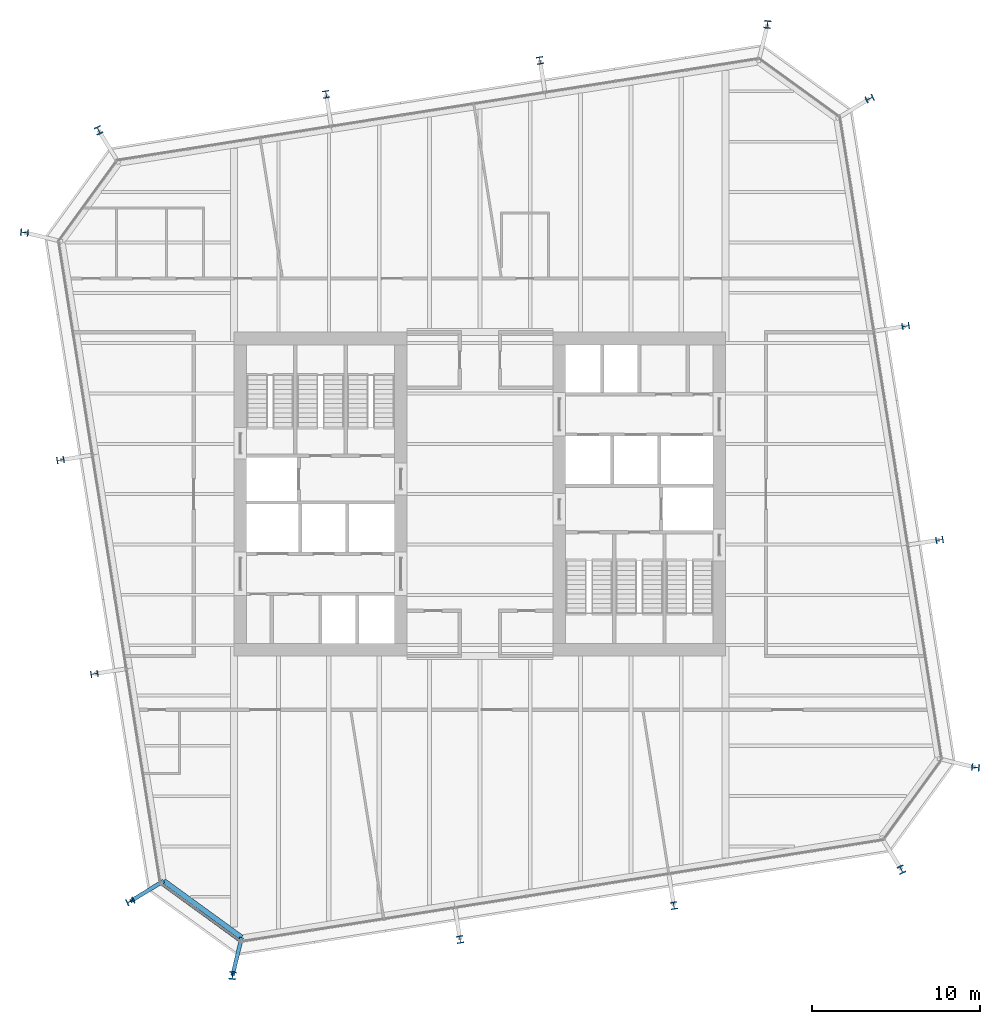
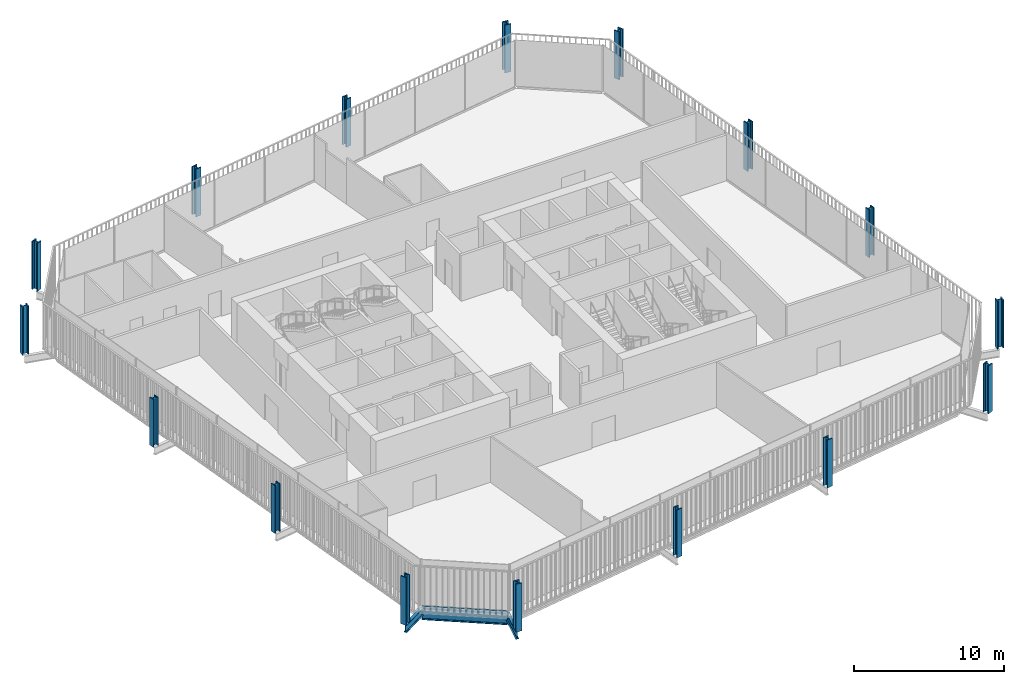
# One storey, part 1 of 21: 16 columns, 3 beams, 1 member, 1 element without a shape of its own.
"""IFC4 building model written with IfcOpenShell, lengths in metres."""

from ifc_helpers import new_model, si_unit, direction, frame, origin, origin_2d, place, context, subcontext, project, spatial, rectangle, i_section, extrude, material, layer, layer_set, material_profile, profile_set, type_object, element, aggregate, save


model = new_model("IFC4")

# Units and contexts
model_context = context("Model", 3, precision=1e-05, world=origin(), true_north=direction((0.0, 1.0)))
body_context = subcontext(model_context, "Body", "Model", "MODEL_VIEW")
ifc_project = project(units=[si_unit("LENGTHUNIT", "METRE"), si_unit("AREAUNIT", "SQUARE_METRE"), si_unit("VOLUMEUNIT", "CUBIC_METRE"), si_unit("PLANEANGLEUNIT", "RADIAN"), si_unit("MASSUNIT", "GRAM", prefix="KILO")], contexts=[model_context])

# Site, building, storey
site_placement = place(None, origin())
site = spatial("IfcSite", under=ifc_project, at=site_placement, CompositionType="ELEMENT")
building_placement = place(site_placement, origin())
building = spatial("IfcBuilding", under=site, at=building_placement, Name="Millrace Tower", CompositionType="ELEMENT")
storey_placement = place(building_placement, frame((0.0, 0.0, 133.39990234375)))
storey = spatial("IfcBuildingStorey", under=building, at=storey_placement, Name="L29", CompositionType="ELEMENT", Elevation=133.39990234375)

# Columns
ifc_material_1 = material(Name="Steel ASTM A913 Grade 65", Category="steel")
ifc_material_profile_1 = material_profile(ifc_material_1, i_section(OverallWidth=0.419189453125, OverallDepth=0.45458984375, WebThickness=0.042236328125, FlangeThickness=0.067626953125, FilletRadius=0.01513671875, at=origin_2d()))
ifc_profile_set_1 = profile_set([ifc_material_profile_1], Name="Steel ASTM A913 Grade 65")
column_type_1 = type_object("IfcColumnType", Name="Exoskeleton column W14x370", PredefinedType="COLUMN", material=ifc_profile_set_1)
for number, where, z_axis, x_axis, name in (
    (1, (-1.181396484375, -26.545166015625, 0.0), (0.0, 0.0, 1.0), (0.987688339156, 0.156434474125, 0.0), "COL-C-L29-X03"),
    (2, (11.5595703125, -24.527099609375, 0.0), (0.0, 0.0, 1.0), (0.987688338239, 0.156434479917, 0.0), "COL-C-L29-X04"),
    (3, (27.39501953125, -2.7314453125, 0.0), (0.0, 0.0, 1.0), (-0.156434474125, 0.987688339156, 0.0), "COL-C-L29-X07"),
    (4, (25.376953125, 10.009765625, 0.0), (0.0, 0.0, 1.0), (-0.156434479917, 0.987688338239, 0.0), "COL-C-L29-X08"),
    (5, (3.58154296875, 25.844970703125, 0.0), (0.0, 0.0, 1.0), (-0.987688339156, -0.156434474125, 0.0), "COL-C-L29-X11"),
    (6, (-9.15966796875, 23.8271484375, 0.0), (0.0, 0.0, 1.0), (-0.987688338239, -0.156434479917, 0.0), "COL-C-L29-X12"),
    (7, (-24.9951171875, 2.031494140625, 0.0), (0.0, 0.0, 1.0), (0.156434474125, -0.987688339156, 0.0), "COL-C-L29-X15"),
    (8, (-22.97705078125, -10.709716796875, 0.0), (0.0, 0.0, 1.0), (0.156434479917, -0.987688338239, 0.0), "COL-C-L29-X16"),
):
    element("IfcColumn", number, at=place(storey_placement, frame(where, z_axis=z_axis, x_axis=x_axis)), inside=storey, type_object=column_type_1, Name=name, PredefinedType="COLUMN", context=body_context, shape_type="SweptSolid", body=[
        extrude(i_section(OverallWidth=0.419189453125, OverallDepth=0.45458984375, WebThickness=0.042236328125, FlangeThickness=0.067626953125, FilletRadius=0.01513671875, at=origin_2d()), origin(), (0.0, 0.0, 1.0), 3.900146484375),
    ])
ifc_material_2 = material(Name="Steel ASTM A913 Grade 65", Category="steel")
ifc_material_profile_2 = material_profile(ifc_material_2, i_section(OverallWidth=0.4267578125, OverallDepth=0.482666015625, WebThickness=0.05126953125, FlangeThickness=0.08154296875, FilletRadius=0.01513671875, at=origin_2d()))
ifc_profile_set_2 = profile_set([ifc_material_profile_2], Name="Steel ASTM A913 Grade 65")
column_type_2 = type_object("IfcColumnType", Name="Exoskeleton column W14x455", PredefinedType="COLUMN", material=ifc_profile_set_2)
for number, where, z_axis, x_axis, name in (
    (9, (-20.829345703125, -24.26904296875, 0.0), (0.0, 0.0, 1.0), (0.416401106568, -0.909181015227, 0.0), "COL-C-L29-X01"),
    (10, (-14.740966796875, -28.692626953125, 0.0), (0.0, 0.0, 1.0), (0.993357548409, -0.115068592665, 0.0), "COL-C-L29-X02"),
    (11, (25.119140625, -22.37939453125, 0.0), (0.0, 0.0, 1.0), (0.909181015227, 0.416401106568, 0.0), "COL-C-L29-X05"),
    (12, (29.542724609375, -16.291015625, 0.0), (0.0, 0.0, 1.0), (0.115068592665, 0.993357548409, 0.0), "COL-C-L29-X06"),
    (13, (23.2294921875, 23.569091796875, 0.0), (0.0, 0.0, 1.0), (-0.416401106568, 0.909181015227, 0.0), "COL-C-L29-X09"),
    (14, (17.140869140625, 27.99267578125, 0.0), (0.0, 0.0, 1.0), (-0.993357548409, 0.115068592665, 0.0), "COL-C-L29-X10"),
    (15, (-22.718994140625, 21.679443359375, 0.0), (0.0, 0.0, 1.0), (-0.909181015227, -0.416401106568, 0.0), "COL-C-L29-X13"),
    (16, (-27.142578125, 15.5908203125, 0.0), (0.0, 0.0, 1.0), (-0.115068592665, -0.993357548409, 0.0), "COL-C-L29-X14"),
):
    element("IfcColumn", number, at=place(storey_placement, frame(where, z_axis=z_axis, x_axis=x_axis)), inside=storey, type_object=column_type_2, Name=name, PredefinedType="COLUMN", context=body_context, shape_type="SweptSolid", body=[
        extrude(i_section(OverallWidth=0.4267578125, OverallDepth=0.482666015625, WebThickness=0.05126953125, FlangeThickness=0.08154296875, FilletRadius=0.01513671875, at=origin_2d()), origin(), (0.0, 0.0, 1.0), 3.900146484375),
    ])

# Curtain wall, member
ifc_material_3 = material(Name="Aluminium and glass", Category="aluminium")
ifc_layer = layer(ifc_material_3, 0.14990234375)
ifc_layer_set = layer_set([ifc_layer], Name="Aluminium and glass")
curtain_wall_type = type_object("IfcCurtainWallType", Name="CW-1 office vision curtain wall", PredefinedType="NOTDEFINED", material=ifc_layer_set)
curtain_wall_placement = place(storey_placement, origin())
curtain_wall = element("IfcCurtainWall", 17, at=curtain_wall_placement, inside=storey, type_object=curtain_wall_type, Name="Curtain wall C-F01 L29", PredefinedType="NOTDEFINED")
ifc_material_4 = material(Name="Aluminium", Category="aluminium")
ifc_material_profile_3 = material_profile(ifc_material_4, rectangle(XDim=0.14990234375, YDim=0.139892578125, at=origin_2d()))
ifc_profile_set_3 = profile_set([ifc_material_profile_3], Name="Aluminium")
member_type = type_object("IfcMemberType", Name="CW-1 office vision curtain wall transom", PredefinedType="USERDEFINED", material=ifc_profile_set_3)
member_placement = place(storey_placement, frame((-18.94677734375, -23.25732421875, 0.070068359375), z_axis=(0.808998591139, -0.587810581339, 0.0), x_axis=(0.587810581339, 0.808998591139, 0.0)))
member = element("IfcMember", 18, at=member_placement, type_object=member_type, Name="CW1 transom C-F01.1", ObjectType="TRANSOM", PredefinedType="USERDEFINED", context=body_context, shape_type="SweptSolid", body=[
    extrude(rectangle(XDim=0.14990234375, YDim=0.139892578125, at=origin_2d()), origin(), (0.0, 0.0, 1.0), 5.6689453125),
])
aggregate(curtain_wall, [member])

# Beams
ifc_material_5 = material(Name="Steel ASTM A992 Grade 50", Category="steel")
ifc_material_profile_4 = material_profile(ifc_material_5, i_section(OverallWidth=0.23046875, OverallDepth=0.6171875, WebThickness=0.01318359375, FlangeThickness=0.022216796875, FilletRadius=0.012939453125, at=origin_2d()))
ifc_profile_set_4 = profile_set([ifc_material_profile_4], Name="Steel ASTM A992 Grade 50")
beam_type_1 = type_object("IfcBeamType", Name="Link beam W24x94", PredefinedType="BEAM", material=ifc_profile_set_4)
for number, where, z_axis, x_axis, name in (
    (19, (-18.841796875, -23.051025390625, -0.468505859375), (-0.852631355792, -0.522512938711, 0.0), (0.522512938711, -0.852631355792, 0.0), "LNK-C-L29-S1-01"),
    (20, (-14.19677734375, -26.426025390625, -0.468505859375), (-0.233456138164, -0.972367333652, 0.0), (0.972367333652, -0.233456138164, 0.0), "LNK-C-L29-S1-16"),
):
    element("IfcBeam", number, at=place(storey_placement, frame(where, z_axis=z_axis, x_axis=x_axis)), inside=storey, type_object=beam_type_1, Name=name, PredefinedType="BEAM", context=body_context, shape_type="SweptSolid", body=[
        extrude(i_section(OverallWidth=0.23046875, OverallDepth=0.6171875, WebThickness=0.01318359375, FlangeThickness=0.022216796875, FilletRadius=0.012939453125, at=origin_2d()), origin(), (0.0, 0.0, 1.0), 2.3310546875),
    ])
ifc_material_6 = material(Name="Steel ASTM A992 Grade 50", Category="steel")
ifc_material_profile_5 = material_profile(ifc_material_6, i_section(OverallWidth=0.307373046875, OverallDepth=0.927001953125, WebThickness=0.01953125, FlangeThickness=0.031982421875, FilletRadius=0.01904296875, at=origin_2d()))
ifc_profile_set_5 = profile_set([ifc_material_profile_5], Name="Steel ASTM A992 Grade 50")
beam_type_2 = type_object("IfcBeamType", Name="Ring beam short span W36x194", PredefinedType="SPANDREL", material=ifc_profile_set_5)
beam_placement = place(storey_placement, frame((-14.19677734375, -26.426025390625, -0.62353515625), z_axis=(-0.80900078054, 0.587807568074, 0.0), x_axis=(-0.587807568074, -0.80900078054, 0.0)))
element("IfcBeam", 21, at=beam_placement, inside=storey, type_object=beam_type_2, Name="RNG-C-L29-S1-16", PredefinedType="SPANDREL", context=body_context, shape_type="SweptSolid", body=[
    extrude(i_section(OverallWidth=0.307373046875, OverallDepth=0.927001953125, WebThickness=0.01953125, FlangeThickness=0.031982421875, FilletRadius=0.01904296875, at=origin_2d()), origin(), (0.0, 0.0, 1.0), 5.74169921875),
])

save(model, "model.ifc")
